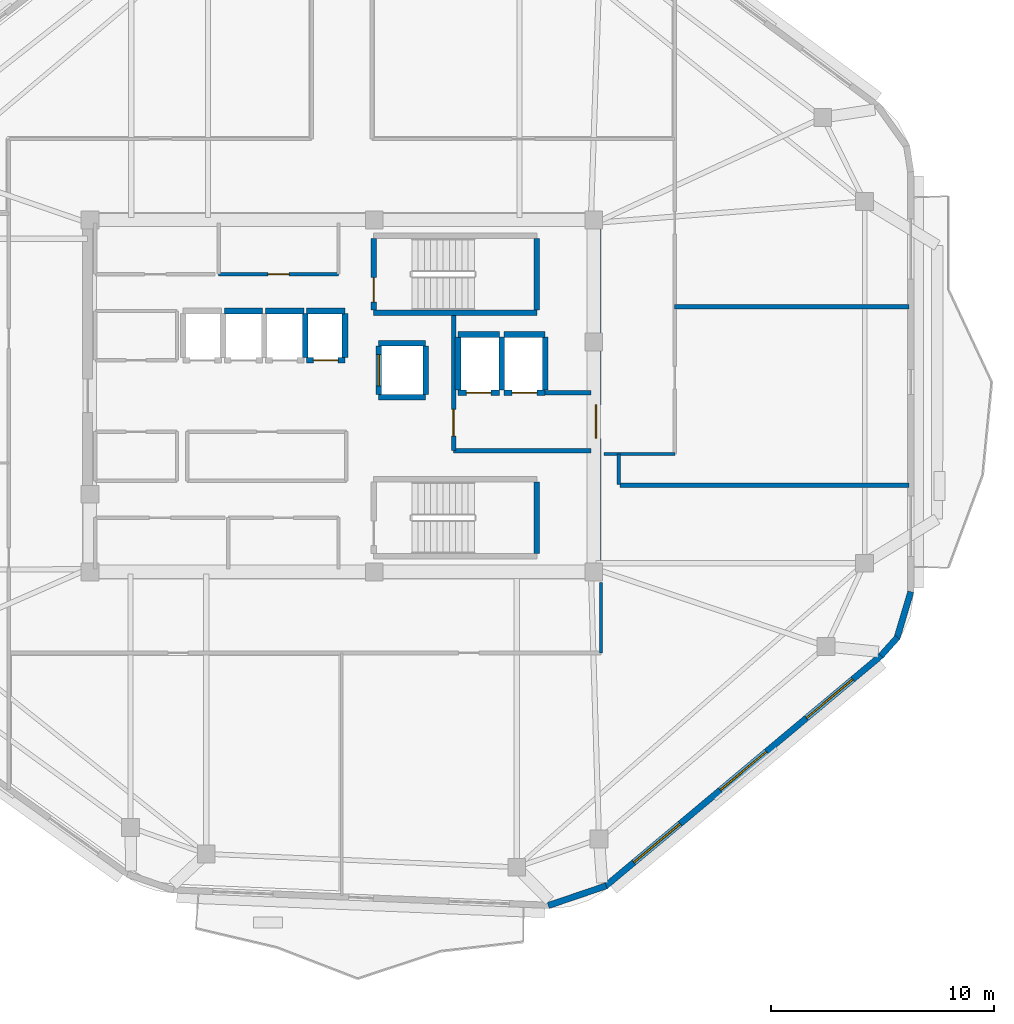
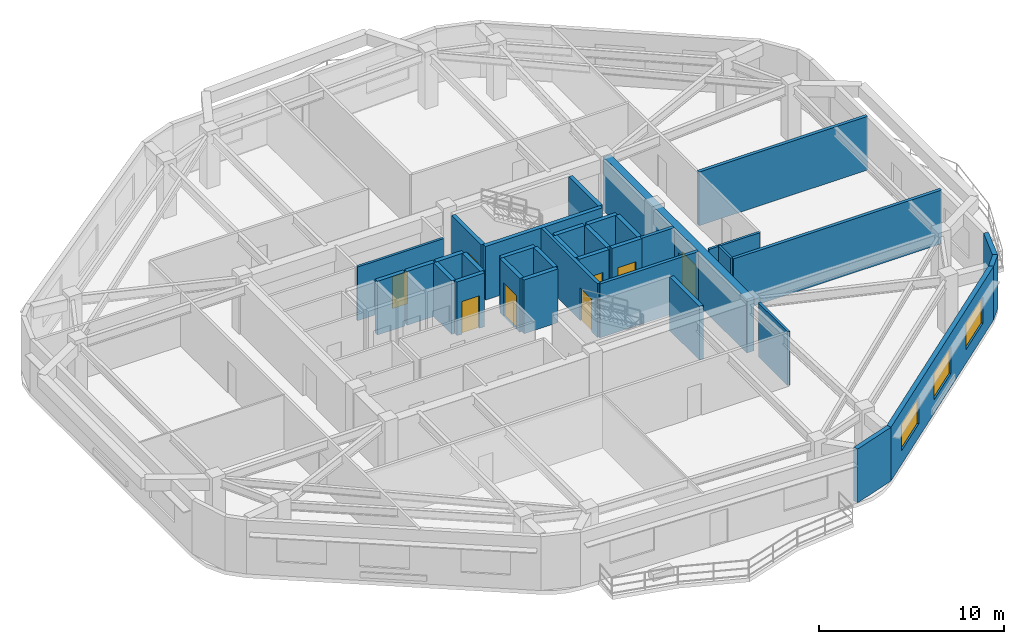
# One storey, part 4 of 8: 35 walls, 8 doors, 3 windows, 11 openings.
"""IFC4 building model written with IfcOpenShell, lengths in metres."""

from ifc_helpers import new_model, si_unit, direction, frame, frame_2d, origin, place, context, subcontext, project, spatial, rectangle, extrude, material, layer, layer_set, type_object, element, fill, save


model = new_model("IFC4")

# Units and contexts
model_context = context("Model", 3, precision=1e-05, world=origin(), true_north=direction((0.0, 1.0)))
body_context = subcontext(model_context, "Body", "Model", "MODEL_VIEW")
ifc_project = project(units=[si_unit("LENGTHUNIT", "METRE"), si_unit("AREAUNIT", "SQUARE_METRE"), si_unit("VOLUMEUNIT", "CUBIC_METRE"), si_unit("PLANEANGLEUNIT", "RADIAN"), si_unit("MASSUNIT", "GRAM", prefix="KILO")], contexts=[model_context])

# Site, building, storey
site_placement = place(None, origin())
site = spatial("IfcSite", under=ifc_project, at=site_placement, CompositionType="ELEMENT")
building_placement = place(site_placement, origin())
building = spatial("IfcBuilding", under=site, at=building_placement, Name="Zulverin Broadcast Headquarters", CompositionType="ELEMENT")
storey_placement = place(building_placement, frame((0.0, 0.0, 297.199951171875)))
storey = spatial("IfcBuildingStorey", under=building, at=storey_placement, Name="L76", CompositionType="ELEMENT", Elevation=297.199951171875)

# Walls
ifc_material_1 = material(Name="Acoustic drywall steel stud", Category="steel")
ifc_layer_1 = layer(ifc_material_1, 0.199951171875, Name="Acoustic drywall steel stud", Category="steel")
ifc_layer_set_1 = layer_set([ifc_layer_1], Name="Acoustic drywall steel stud")
wall_type_1 = type_object("IfcWallType", Name="WL-ACOU-200", PredefinedType="PARTITIONING", material=ifc_layer_set_1)
wall_1_placement = place(storey_placement, frame((49.43994140625, 21.199951171875, 0.0), z_axis=(0.0, 0.0, 1.0), x_axis=(1.0, 0.0, 0.0)))
element("IfcWall", 1, at=wall_1_placement, inside=storey, type_object=wall_type_1, Name="L76 Room Partition Wall RP-09", PredefinedType="PARTITIONING", context=body_context, shape_type="SweptSolid", body=[
    extrude(rectangle(XDim=12.955078125, YDim=0.199951171875, at=frame_2d((6.4775390625, 0.0))), origin(), (0.0, 0.0, 1.0), 3.5400390625),
])
wall_2_placement = place(storey_placement, frame((51.89990234375, 29.199951171875, 0.0), z_axis=(0.0, 0.0, 1.0), x_axis=(1.0, 0.0, 0.0)))
element("IfcWall", 2, at=wall_2_placement, inside=storey, type_object=wall_type_1, Name="L76 Room Partition Wall RP-12", PredefinedType="PARTITIONING", context=body_context, shape_type="SweptSolid", body=[
    extrude(rectangle(XDim=10.4951171875, YDim=0.199951171875, at=frame_2d((5.24755859375, 0.0))), origin(), (0.0, 0.0, 1.0), 3.5400390625),
])

# Wall, opening, door
ifc_material_2 = material(Name="Concrete C50/60", Category="concrete")
ifc_layer_2 = layer(ifc_material_2, 0.449951171875, Name="Concrete C50/60", Category="concrete")
ifc_layer_set_2 = layer_set([ifc_layer_2], Name="Concrete C50/60")
wall_type_2 = type_object("IfcWallType", Name="WL-CORE-450", PredefinedType="SHEAR", material=ifc_layer_set_2)
wall_3_placement = place(storey_placement, frame((48.375, 17.449951171875, 0.0), z_axis=(0.0, 0.0, 1.0), x_axis=(0.0, 1.0, 0.0)))
wall_3 = element("IfcWall", 3, at=wall_3_placement, inside=storey, type_object=wall_type_2, Name="L76 Core East Shear Wall", PredefinedType="SHEAR", context=body_context, shape_type="SweptSolid", body=[
    extrude(rectangle(XDim=15.5, YDim=0.449951171875, at=frame_2d((7.75, 0.0))), origin(), (0.0, 0.0, 1.0), 3.5400390625),
])
opening_1_placement = place(wall_3_placement, frame((5.85009765625, 0.0, 0.0)))
opening_1 = element("IfcOpeningElement", 4, at=opening_1_placement, cuts=wall_3, Name="Opening D-L76-CE1", PredefinedType="OPENING", context=body_context, shape_type="SweptSolid", body=[
    extrude(rectangle(XDim=1.5, YDim=2.14990234375, at=frame_2d((0.75, 1.074951171875))), frame((0.0, 0.23486328125, 0.0), z_axis=(0.0, -1.0, 0.0), x_axis=(1.0, 0.0, 0.0)), (0.0, 0.0, 1.0), 0.469970703125),
])
ifc_material_3 = material(Name="Fire-rated glazed steel frame", Category="steel")
door_type_1 = type_object("IfcDoorType", Name="DR-COR-1500", OperationType="DOUBLE_DOOR_SINGLE_SWING", PredefinedType="DOOR", material=ifc_material_3)
door_1_placement = place(opening_1_placement, origin())
door_1 = element("IfcDoor", 5, at=door_1_placement, inside=storey, type_object=door_type_1, Name="L76 Firefighting Lobby East Corridor Door", OperationType="DOUBLE_DOOR_SINGLE_SWING", OverallHeight=2.14990234375, OverallWidth=1.5, PredefinedType="DOOR", context=body_context, shape_type="SweptSolid", body=[
    extrude(rectangle(XDim=1.5, YDim=2.14990234375, at=frame_2d((0.75, 1.074951171875))), frame((0.0, 0.02490234375, 0.0), z_axis=(0.0, -1.0, 0.0), x_axis=(1.0, 0.0, 0.0)), (0.0, 0.0, 1.0), 0.050048828125),
])
fill(opening_1, door_1)

# Wall, openings, windows
ifc_material_4 = material(Name="Insulated pale-metal clad concrete spandrel C40/50", Category="concrete")
ifc_layer_3 = layer(ifc_material_4, 0.280029296875, Name="Insulated pale-metal clad concrete spandrel C40/50", Category="concrete")
ifc_layer_set_3 = layer_set([ifc_layer_3], Name="Insulated pale-metal clad concrete spandrel C40/50")
wall_type_3 = type_object("IfcWallType", Name="WL-EXT-280", PredefinedType="STANDARD", material=ifc_layer_set_3)
wall_4_placement = place(storey_placement, frame((48.788818359375, 3.249755859375, 0.0), z_axis=(0.0, 0.0, 1.0), x_axis=(0.767032672101, 0.641608042288, 0.0)))
wall_4 = element("IfcWall", 6, at=wall_4_placement, inside=storey, type_object=wall_type_3, Name="L76 Pale-Metal Clad Spandrel Wall 2", PredefinedType="STANDARD", context=body_context, shape_type="SweptSolid", body=[
    extrude(rectangle(XDim=16.11328125, YDim=0.280029296875, at=frame_2d((8.056640625, 0.0))), origin(), (0.0, 0.0, 1.0), 3.5400390625),
])
opening_2_placement = place(wall_4_placement, frame((1.6689453125, 0.0, 0.89990234375)))
opening_2 = element("IfcOpeningElement", 7, at=opening_2_placement, cuts=wall_4, Name="Opening W-L76-E21", PredefinedType="OPENING", context=body_context, shape_type="SweptSolid", body=[
    extrude(rectangle(XDim=2.699951171875, YDim=1.75, at=frame_2d((1.35009765625, 0.875))), frame((0.0, 0.14990234375, 0.0), z_axis=(0.0, -1.0, 0.0), x_axis=(1.0, 0.0, 0.0)), (0.0, 0.0, 1.0), 0.300048828125),
])
opening_3_placement = place(wall_4_placement, frame((6.706787109375, 0.0, 0.89990234375)))
opening_3 = element("IfcOpeningElement", 8, at=opening_3_placement, cuts=wall_4, Name="Opening W-L76-E22", PredefinedType="OPENING", context=body_context, shape_type="SweptSolid", body=[
    extrude(rectangle(XDim=2.699951171875, YDim=1.75, at=frame_2d((1.35009765625, 0.875))), frame((0.0, 0.14990234375, 0.0), z_axis=(0.0, -1.0, 0.0), x_axis=(1.0, 0.0, 0.0)), (0.0, 0.0, 1.0), 0.300048828125),
])
opening_4_placement = place(wall_4_placement, frame((11.744384765625, 0.0, 0.89990234375)))
opening_4 = element("IfcOpeningElement", 9, at=opening_4_placement, cuts=wall_4, Name="Opening W-L76-E23", PredefinedType="OPENING", context=body_context, shape_type="SweptSolid", body=[
    extrude(rectangle(XDim=2.699951171875, YDim=1.75, at=frame_2d((1.35009765625, 0.875))), frame((0.0, 0.14990234375, 0.0), z_axis=(0.0, -1.0, 0.0), x_axis=(1.0, 0.0, 0.0)), (0.0, 0.0, 1.0), 0.300048828125),
])
ifc_material_5 = material(Name="Pale anodized aluminium frame with solar-control low-E double glazing", Category="aluminium")
window_type = type_object("IfcWindowType", Name="WIN-TWR-2700", PartitioningType="SINGLE_PANEL", PredefinedType="WINDOW", material=ifc_material_5)
window_1_placement = place(opening_2_placement, origin())
window_1 = element("IfcWindow", 10, at=window_1_placement, inside=storey, type_object=window_type, Name="L76 Ribbon Glazing Window 2 1", OverallHeight=1.75, OverallWidth=2.699951171875, PartitioningType="SINGLE_PANEL", PredefinedType="WINDOW", context=body_context, shape_type="SweptSolid", body=[
    extrude(rectangle(XDim=2.699951171875, YDim=1.75, at=frame_2d((1.35009765625, 0.875))), frame((0.0, 0.030029296875, 0.0), z_axis=(0.0, -1.0, 0.0), x_axis=(1.0, 0.0, 0.0)), (0.0, 0.0, 1.0), 0.06005859375),
])
fill(opening_2, window_1)
window_2_placement = place(opening_3_placement, origin())
window_2 = element("IfcWindow", 11, at=window_2_placement, inside=storey, type_object=window_type, Name="L76 Ribbon Glazing Window 2 2", OverallHeight=1.75, OverallWidth=2.699951171875, PartitioningType="SINGLE_PANEL", PredefinedType="WINDOW", context=body_context, shape_type="SweptSolid", body=[
    extrude(rectangle(XDim=2.699951171875, YDim=1.75, at=frame_2d((1.35009765625, 0.875))), frame((0.0, 0.030029296875, 0.0), z_axis=(0.0, -1.0, 0.0), x_axis=(1.0, 0.0, 0.0)), (0.0, 0.0, 1.0), 0.06005859375),
])
fill(opening_3, window_2)
window_3_placement = place(opening_4_placement, origin())
window_3 = element("IfcWindow", 12, at=window_3_placement, inside=storey, type_object=window_type, Name="L76 Ribbon Glazing Window 2 3", OverallHeight=1.75, OverallWidth=2.699951171875, PartitioningType="SINGLE_PANEL", PredefinedType="WINDOW", context=body_context, shape_type="SweptSolid", body=[
    extrude(rectangle(XDim=2.699951171875, YDim=1.75, at=frame_2d((1.35009765625, 0.875))), frame((0.0, 0.030029296875, 0.0), z_axis=(0.0, -1.0, 0.0), x_axis=(1.0, 0.0, 0.0)), (0.0, 0.0, 1.0), 0.06005859375),
])
fill(opening_4, window_3)

# Walls
wall_5_placement = place(storey_placement, frame((46.239501953125, 2.392822265625, 0.0), z_axis=(0.0, 0.0, 1.0), x_axis=(0.946759165502, 0.321942669643, 0.0)))
element("IfcWall", 13, at=wall_5_placement, inside=storey, type_object=wall_type_3, Name="L76 Wind-Shaped Corner Spandrel Wall 1-1", PredefinedType="STANDARD", context=body_context, shape_type="SweptSolid", body=[
    extrude(rectangle(XDim=2.73974609375, YDim=0.280029296875, at=frame_2d((1.369873046875, 0.0))), origin(), (0.0, 0.0, 1.0), 3.5400390625),
])
wall_6_placement = place(storey_placement, frame((61.133544921875, 13.573974609375, 0.0), z_axis=(0.0, 0.0, 1.0), x_axis=(0.665804679247, 0.74612608123, 0.0)))
element("IfcWall", 14, at=wall_6_placement, inside=storey, type_object=wall_type_3, Name="L76 Wind-Shaped Corner Spandrel Wall 2-1", PredefinedType="STANDARD", context=body_context, shape_type="SweptSolid", body=[
    extrude(rectangle(XDim=1.103271484375, YDim=0.280029296875, at=frame_2d((0.5517578125, 0.0))), origin(), (0.0, 0.0, 1.0), 3.5400390625),
])
wall_7_placement = place(storey_placement, frame((61.838623046875, 14.34423828125, 0.0), z_axis=(0.0, 0.0, 1.0), x_axis=(0.287235049694, 0.957860128739, 0.0)))
element("IfcWall", 15, at=wall_7_placement, inside=storey, type_object=wall_type_3, Name="L76 Wind-Shaped Corner Spandrel Wall 2-2", PredefinedType="STANDARD", context=body_context, shape_type="SweptSolid", body=[
    extrude(rectangle(XDim=2.18359375, YDim=0.280029296875, at=frame_2d((1.091796875, 0.0))), origin(), (0.0, 0.0, 1.0), 3.5400390625),
])

# Wall, opening, door
ifc_material_6 = material(Name="Concrete C40/50", Category="concrete")
ifc_layer_4 = layer(ifc_material_6, 0.199951171875, Name="Concrete C40/50", Category="concrete")
ifc_layer_set_4 = layer_set([ifc_layer_4], Name="Concrete C40/50")
wall_type_4 = type_object("IfcWallType", Name="WL-FFL-200", PredefinedType="SOLIDWALL", material=ifc_layer_set_4)
wall_8_placement = place(storey_placement, frame((42.0, 22.75, 0.0), z_axis=(0.0, 0.0, 1.0), x_axis=(0.0, 1.0, 0.0)))
wall_8 = element("IfcWall", 16, at=wall_8_placement, inside=storey, type_object=wall_type_4, Name="L76 Firefighting Lift Lobby West Wall", PredefinedType="SOLIDWALL", context=body_context, shape_type="SweptSolid", body=[
    extrude(rectangle(XDim=6.050048828125, YDim=0.199951171875, at=frame_2d((3.02490234375, 0.0))), origin(), (0.0, 0.0, 1.0), 3.5400390625),
])
opening_5_placement = place(wall_8_placement, frame((0.64990234375, 0.0, 0.0)))
opening_5 = element("IfcOpeningElement", 17, at=opening_5_placement, cuts=wall_8, Name="Opening D-L76-FFLW", PredefinedType="OPENING", context=body_context, shape_type="SweptSolid", body=[
    extrude(rectangle(XDim=1.199951171875, YDim=2.14990234375, at=frame_2d((0.60009765625, 1.074951171875))), frame((0.0, 0.10986328125, 0.0), z_axis=(0.0, -1.0, 0.0), x_axis=(1.0, 0.0, 0.0)), (0.0, 0.0, 1.0), 0.219970703125),
])
ifc_material_7 = material(Name="Fire-rated steel leaf and frame", Category="steel")
door_type_2 = type_object("IfcDoorType", Name="DR-FFL-1200", OperationType="SINGLE_SWING_RIGHT", PredefinedType="DOOR", material=ifc_material_7)
door_2_placement = place(opening_5_placement, origin())
door_2 = element("IfcDoor", 18, at=door_2_placement, inside=storey, type_object=door_type_2, Name="L76 Firefighting Lift Lobby Door", OperationType="SINGLE_SWING_RIGHT", OverallHeight=2.14990234375, OverallWidth=1.199951171875, PredefinedType="DOOR", context=body_context, shape_type="SweptSolid", body=[
    extrude(rectangle(XDim=1.199951171875, YDim=2.14990234375, at=frame_2d((0.60009765625, 1.074951171875))), frame((0.0, 0.02490234375, 0.0), z_axis=(0.0, -1.0, 0.0), x_axis=(1.0, 0.0, 0.0)), (0.0, 0.0, 1.0), 0.050048828125),
])
fill(opening_5, door_2)

# Walls
wall_9_placement = place(storey_placement, frame((42.0, 22.75, 0.0), z_axis=(0.0, 0.0, 1.0), x_axis=(1.0, 0.0, 0.0)))
element("IfcWall", 19, at=wall_9_placement, inside=storey, type_object=wall_type_4, Name="L76 Firefighting Lift Lobby South Wall", PredefinedType="SOLIDWALL", context=body_context, shape_type="SweptSolid", body=[
    extrude(rectangle(XDim=6.14990234375, YDim=0.199951171875, at=frame_2d((3.074951171875, 0.0))), origin(), (0.0, 0.0, 1.0), 3.5400390625),
])
wall_10_placement = place(storey_placement, frame((46.10009765625, 25.35009765625, 0.0), z_axis=(0.0, 0.0, 1.0), x_axis=(1.0, 0.0, 0.0)))
element("IfcWall", 20, at=wall_10_placement, inside=storey, type_object=wall_type_4, Name="L76 Firefighting Lift Lobby North Wall", PredefinedType="SOLIDWALL", context=body_context, shape_type="SweptSolid", body=[
    extrude(rectangle(XDim=2.0498046875, YDim=0.199951171875, at=frame_2d((1.02490234375, 0.0))), origin(), (0.0, 0.0, 1.0), 3.5400390625),
])

# Wall, opening, door
ifc_material_8 = material(Name="Fire-rated gypsum stud partition", Category="gypsum")
ifc_layer_5 = layer(ifc_material_8, 0.14990234375, Name="Fire-rated gypsum stud partition", Category="gypsum")
ifc_layer_set_5 = layer_set([ifc_layer_5], Name="Fire-rated gypsum stud partition")
wall_type_5 = type_object("IfcWallType", Name="WL-PART-150", PredefinedType="PARTITIONING", material=ifc_layer_set_5)
wall_11_placement = place(storey_placement, frame((31.489990234375, 30.64990234375, 0.0), z_axis=(0.0, 0.0, 1.0), x_axis=(1.0, 0.0, 0.0)))
wall_11 = element("IfcWall", 21, at=wall_11_placement, inside=storey, type_object=wall_type_5, Name="L76 Core Accessible WC Front Wall", PredefinedType="PARTITIONING", context=body_context, shape_type="SweptSolid", body=[
    extrude(rectangle(XDim=5.360107421875, YDim=0.14990234375, at=frame_2d((2.68017578125, 0.0))), origin(), (0.0, 0.0, 1.0), 3.5400390625),
])
opening_6_placement = place(wall_11_placement, frame((2.205078125, 0.0, 0.0)))
opening_6 = element("IfcOpeningElement", 22, at=opening_6_placement, cuts=wall_11, Name="Opening D-L76-NC2", PredefinedType="OPENING", context=body_context, shape_type="SweptSolid", body=[
    extrude(rectangle(XDim=0.949951171875, YDim=2.10009765625, at=frame_2d((0.47509765625, 1.050048828125))), frame((0.0, 0.0849609375, 0.0), z_axis=(0.0, -1.0, 0.0), x_axis=(1.0, 0.0, 0.0)), (0.0, 0.0, 1.0), 0.169921875),
])
ifc_material_9 = material(Name="Fire-rated moisture-resistant laminate leaf", Category="wood")
door_type_3 = type_object("IfcDoorType", Name="DR-WC-950", OperationType="SINGLE_SWING_LEFT", PredefinedType="DOOR", material=ifc_material_9)
door_3_placement = place(opening_6_placement, origin())
door_3 = element("IfcDoor", 23, at=door_3_placement, inside=storey, type_object=door_type_3, Name="L76 Accessible WC Door", OperationType="SINGLE_SWING_RIGHT", OverallHeight=2.10009765625, OverallWidth=0.949951171875, PredefinedType="DOOR", context=body_context, shape_type="SweptSolid", body=[
    extrude(rectangle(XDim=0.949951171875, YDim=2.10009765625, at=frame_2d((0.47509765625, 1.050048828125))), frame((0.0, 0.02490234375, 0.0), z_axis=(0.0, -1.0, 0.0), x_axis=(1.0, 0.0, 0.0)), (0.0, 0.0, 1.0), 0.050048828125),
])
fill(opening_6, door_3)

# Walls
wall_12_placement = place(storey_placement, frame((49.39990234375, 21.239990234375, 0.0), z_axis=(0.0, 0.0, 1.0), x_axis=(0.0, 1.0, 0.0)))
element("IfcWall", 24, at=wall_12_placement, inside=storey, type_object=wall_type_5, Name="L76 Room Partition Wall RP-02", PredefinedType="PARTITIONING", context=body_context, shape_type="SweptSolid", body=[
    extrude(rectangle(XDim=1.359130859375, YDim=0.14990234375, at=frame_2d((0.6796875, 0.0))), origin(), (0.0, 0.0, 1.0), 3.5400390625),
])
wall_13_placement = place(storey_placement, frame((48.60009765625, 13.699951171875, 0.0), z_axis=(0.0, 0.0, 1.0), x_axis=(0.0, 1.0, 0.0)))
element("IfcWall", 25, at=wall_13_placement, inside=storey, type_object=wall_type_5, Name="L76 Gallery Partition Wall CG-03", PredefinedType="PARTITIONING", context=body_context, shape_type="SweptSolid", body=[
    extrude(rectangle(XDim=3.16015625, YDim=0.14990234375, at=frame_2d((1.580078125, 0.0))), origin(), (0.0, 0.0, 1.0), 3.5400390625),
])
wall_14_placement = place(storey_placement, frame((48.739990234375, 22.60009765625, 0.0), z_axis=(0.0, 0.0, 1.0), x_axis=(1.0, 0.0, 0.0)))
element("IfcWall", 26, at=wall_14_placement, inside=storey, type_object=wall_type_5, Name="L76 Gallery Partition Wall CG-11", PredefinedType="PARTITIONING", context=body_context, shape_type="SweptSolid", body=[
    extrude(rectangle(XDim=3.159912109375, YDim=0.14990234375, at=frame_2d((1.580078125, 0.0))), origin(), (0.0, 0.0, 1.0), 3.5400390625),
])
ifc_layer_6 = layer(ifc_material_2, 0.25, Name="Concrete C50/60", Category="concrete")
ifc_layer_set_6 = layer_set([ifc_layer_6], Name="Concrete C50/60")
wall_type_6 = type_object("IfcWallType", Name="WL-SHAFT-250", PredefinedType="SHEAR", material=ifc_layer_set_6)
wall_15_placement = place(storey_placement, frame((38.425048828125, 28.925048828125, 0.0), z_axis=(0.0, 0.0, 1.0), x_axis=(1.0, 0.0, 0.0)))
element("IfcWall", 27, at=wall_15_placement, inside=storey, type_object=wall_type_6, Name="L76 ST-1 Enclosure Wall S", PredefinedType="SHEAR", context=body_context, shape_type="SweptSolid", body=[
    extrude(rectangle(XDim=7.300048828125, YDim=0.25, at=frame_2d((3.64990234375, 0.0))), origin(), (0.0, 0.0, 1.0), 3.5400390625),
])

# Wall, opening, door
wall_16_placement = place(storey_placement, frame((38.425048828125, 29.050048828125, 0.0), z_axis=(0.0, 0.0, 1.0), x_axis=(0.0, 1.0, 0.0)))
wall_16 = element("IfcWall", 28, at=wall_16_placement, inside=storey, type_object=wall_type_6, Name="L76 ST-1 Enclosure Wall W", PredefinedType="SHEAR", context=body_context, shape_type="SweptSolid", body=[
    extrude(rectangle(XDim=3.199951171875, YDim=0.25, at=frame_2d((1.60009765625, 0.0))), origin(), (0.0, 0.0, 1.0), 3.5400390625),
])
opening_7_placement = place(wall_16_placement, frame((0.35009765625, 0.0, 0.0)))
opening_7 = element("IfcOpeningElement", 29, at=opening_7_placement, cuts=wall_16, Name="Opening D-L76-ST-1", PredefinedType="OPENING", context=body_context, shape_type="SweptSolid", body=[
    extrude(rectangle(XDim=1.10009765625, YDim=2.14990234375, at=frame_2d((0.550048828125, 1.074951171875))), frame((0.0, 0.135009765625, 0.0), z_axis=(0.0, -1.0, 0.0), x_axis=(1.0, 0.0, 0.0)), (0.0, 0.0, 1.0), 0.27001953125),
])
door_type_4 = type_object("IfcDoorType", Name="DR-STAIR-1100", OperationType="SINGLE_SWING_LEFT", PredefinedType="DOOR", material=ifc_material_7)
door_4_placement = place(opening_7_placement, origin())
door_4 = element("IfcDoor", 30, at=door_4_placement, inside=storey, type_object=door_type_4, Name="L76 Exit Stair ST-1 Fire Door", OperationType="SINGLE_SWING_LEFT", OverallHeight=2.14990234375, OverallWidth=1.10009765625, PredefinedType="DOOR", context=body_context, shape_type="SweptSolid", body=[
    extrude(rectangle(XDim=1.10009765625, YDim=2.14990234375, at=frame_2d((0.550048828125, 1.074951171875))), frame((0.0, 0.02490234375, 0.0), z_axis=(0.0, -1.0, 0.0), x_axis=(1.0, 0.0, 0.0)), (0.0, 0.0, 1.0), 0.050048828125),
])
fill(opening_7, door_4)

# Walls
wall_17_placement = place(storey_placement, frame((45.72509765625, 29.050048828125, 0.0), z_axis=(0.0, 0.0, 1.0), x_axis=(0.0, 1.0, 0.0)))
element("IfcWall", 31, at=wall_17_placement, inside=storey, type_object=wall_type_6, Name="L76 ST-1 Enclosure Wall E", PredefinedType="SHEAR", context=body_context, shape_type="SweptSolid", body=[
    extrude(rectangle(XDim=3.199951171875, YDim=0.25, at=frame_2d((1.60009765625, 0.0))), origin(), (0.0, 0.0, 1.0), 3.5400390625),
])
wall_18_placement = place(storey_placement, frame((45.72509765625, 18.14990234375, 0.0), z_axis=(0.0, 0.0, 1.0), x_axis=(0.0, 1.0, 0.0)))
element("IfcWall", 32, at=wall_18_placement, inside=storey, type_object=wall_type_6, Name="L76 ST-2 Enclosure Wall E", PredefinedType="SHEAR", context=body_context, shape_type="SweptSolid", body=[
    extrude(rectangle(XDim=3.2001953125, YDim=0.25, at=frame_2d((1.60009765625, 0.0))), origin(), (0.0, 0.0, 1.0), 3.5400390625),
])
for number, where, z_axis, x_axis, name in (
    (33, (31.739990234375, 29.0, 0.0), (0.0, 0.0, 1.0), (1.0, 0.0, 0.0), "L76 Lift PL-H2 Shaft Wall N"),
    (34, (33.580078125, 29.0, 0.0), (0.0, 0.0, 1.0), (1.0, 0.0, 0.0), "L76 Lift PL-H3 Shaft Wall N"),
):
    element("IfcWall", number, at=place(storey_placement, frame(where, z_axis=z_axis, x_axis=x_axis)), inside=storey, type_object=wall_type_6, Name=name, PredefinedType="SHEAR", context=body_context, shape_type="SweptSolid", body=[
        extrude(rectangle(XDim=1.719970703125, YDim=0.25, at=frame_2d((0.85986328125, 0.0))), origin(), (0.0, 0.0, 1.0), 3.5400390625),
    ])
wall_19_placement = place(storey_placement, frame((35.360107421875, 26.919921875, 0.0), z_axis=(0.0, 0.0, 1.0), x_axis=(0.0, 1.0, 0.0)))
element("IfcWall", 35, at=wall_19_placement, inside=storey, type_object=wall_type_6, Name="L76 Lift PL-H3 Shaft Wall E", PredefinedType="SHEAR", context=body_context, shape_type="SweptSolid", body=[
    extrude(rectangle(XDim=1.9599609375, YDim=0.25, at=frame_2d((0.97998046875, 0.0))), origin(), (0.0, 0.0, 1.0), 3.5400390625),
])

# Wall, opening, door
wall_20_placement = place(storey_placement, frame((35.419921875, 26.800048828125, 0.0), z_axis=(0.0, 0.0, 1.0), x_axis=(1.0, 0.0, 0.0)))
wall_20 = element("IfcWall", 36, at=wall_20_placement, inside=storey, type_object=wall_type_6, Name="L76 Lift PL-H4 Shaft Wall S", PredefinedType="SHEAR", context=body_context, shape_type="SweptSolid", body=[
    extrude(rectangle(XDim=1.719970703125, YDim=0.25, at=frame_2d((0.85986328125, 0.0))), origin(), (0.0, 0.0, 1.0), 3.5400390625),
])
opening_8_placement = place(wall_20_placement, frame((0.31005859375, 0.0, 0.0)))
opening_8 = element("IfcOpeningElement", 37, at=opening_8_placement, cuts=wall_20, Name="Opening LD-PL-H4-L76", PredefinedType="OPENING", context=body_context, shape_type="SweptSolid", body=[
    extrude(rectangle(XDim=1.10009765625, YDim=2.14990234375, at=frame_2d((0.550048828125, 1.074951171875))), frame((0.0, 0.135009765625, 0.0), z_axis=(0.0, -1.0, 0.0), x_axis=(1.0, 0.0, 0.0)), (0.0, 0.0, 1.0), 0.27001953125),
])
ifc_material_10 = material(Name="Brushed stainless steel landing", Category="steel")
door_type_5 = type_object("IfcDoorType", Name="LD-PASS-1100", OperationType="DOUBLE_DOOR_SLIDING", PredefinedType="DOOR", material=ifc_material_10)
door_5_placement = place(opening_8_placement, origin())
door_5 = element("IfcDoor", 38, at=door_5_placement, inside=storey, type_object=door_type_5, Name="L76 Lift PL-H4 Sliding Landing Door", OperationType="DOUBLE_DOOR_SLIDING", OverallHeight=2.14990234375, OverallWidth=1.10009765625, PredefinedType="DOOR", context=body_context, shape_type="SweptSolid", body=[
    extrude(rectangle(XDim=1.10009765625, YDim=2.14990234375, at=frame_2d((0.550048828125, 1.074951171875))), frame((0.0, 0.02490234375, 0.0), z_axis=(0.0, -1.0, 0.0), x_axis=(1.0, 0.0, 0.0)), (0.0, 0.0, 1.0), 0.050048828125),
])
fill(opening_8, door_5)

# Walls
wall_21_placement = place(storey_placement, frame((35.419921875, 29.0, 0.0), z_axis=(0.0, 0.0, 1.0), x_axis=(1.0, 0.0, 0.0)))
element("IfcWall", 39, at=wall_21_placement, inside=storey, type_object=wall_type_6, Name="L76 Lift PL-H4 Shaft Wall N", PredefinedType="SHEAR", context=body_context, shape_type="SweptSolid", body=[
    extrude(rectangle(XDim=1.719970703125, YDim=0.25, at=frame_2d((0.85986328125, 0.0))), origin(), (0.0, 0.0, 1.0), 3.5400390625),
])
wall_22_placement = place(storey_placement, frame((37.139892578125, 26.919921875, 0.0), z_axis=(0.0, 0.0, 1.0), x_axis=(0.0, 1.0, 0.0)))
element("IfcWall", 40, at=wall_22_placement, inside=storey, type_object=wall_type_6, Name="L76 Lift PL-H4 Shaft Wall E", PredefinedType="SHEAR", context=body_context, shape_type="SweptSolid", body=[
    extrude(rectangle(XDim=1.9599609375, YDim=0.25, at=frame_2d((0.97998046875, 0.0))), origin(), (0.0, 0.0, 1.0), 3.5400390625),
])

# Wall, opening, door
wall_23_placement = place(storey_placement, frame((42.199951171875, 25.35009765625, 0.0), z_axis=(0.0, 0.0, 1.0), x_axis=(1.0, 0.0, 0.0)))
wall_23 = element("IfcWall", 41, at=wall_23_placement, inside=storey, type_object=wall_type_6, Name="L76 Lift FFL-1 Shaft Wall S", PredefinedType="SHEAR", context=body_context, shape_type="SweptSolid", body=[
    extrude(rectangle(XDim=1.85009765625, YDim=0.25, at=frame_2d((0.925048828125, 0.0))), origin(), (0.0, 0.0, 1.0), 3.5400390625),
])
opening_9_placement = place(wall_23_placement, frame((0.375, 0.0, 0.0)))
opening_9 = element("IfcOpeningElement", 42, at=opening_9_placement, cuts=wall_23, Name="Opening LD-FFL-1-L76", PredefinedType="OPENING", context=body_context, shape_type="SweptSolid", body=[
    extrude(rectangle(XDim=1.10009765625, YDim=2.14990234375, at=frame_2d((0.550048828125, 1.074951171875))), frame((0.0, 0.135009765625, 0.0), z_axis=(0.0, -1.0, 0.0), x_axis=(1.0, 0.0, 0.0)), (0.0, 0.0, 1.0), 0.27001953125),
])
ifc_material_11 = material(Name="Fire-rated stainless landing door", Category="steel")
door_type_6 = type_object("IfcDoorType", Name="LD-FFL-1100", OperationType="DOUBLE_DOOR_SLIDING", PredefinedType="DOOR", material=ifc_material_11)
door_6_placement = place(opening_9_placement, origin())
door_6 = element("IfcDoor", 43, at=door_6_placement, inside=storey, type_object=door_type_6, Name="L76 Lift FFL-1 Sliding Landing Door", OperationType="DOUBLE_DOOR_SLIDING", OverallHeight=2.14990234375, OverallWidth=1.10009765625, PredefinedType="DOOR", context=body_context, shape_type="SweptSolid", body=[
    extrude(rectangle(XDim=1.10009765625, YDim=2.14990234375, at=frame_2d((0.550048828125, 1.074951171875))), frame((0.0, 0.02490234375, 0.0), z_axis=(0.0, -1.0, 0.0), x_axis=(1.0, 0.0, 0.0)), (0.0, 0.0, 1.0), 0.050048828125),
])
fill(opening_9, door_6)

# Walls
wall_24_placement = place(storey_placement, frame((42.199951171875, 27.949951171875, 0.0), z_axis=(0.0, 0.0, 1.0), x_axis=(1.0, 0.0, 0.0)))
element("IfcWall", 44, at=wall_24_placement, inside=storey, type_object=wall_type_6, Name="L76 Lift FFL-1 Shaft Wall N", PredefinedType="SHEAR", context=body_context, shape_type="SweptSolid", body=[
    extrude(rectangle(XDim=1.85009765625, YDim=0.25, at=frame_2d((0.925048828125, 0.0))), origin(), (0.0, 0.0, 1.0), 3.5400390625),
])
for number, where, z_axis, x_axis, name in (
    (45, (42.199951171875, 25.469970703125, 0.0), (0.0, 0.0, 1.0), (0.0, 1.0, 0.0), "L76 Lift FFL-1 Shaft Wall W"),
    (46, (44.14990234375, 25.469970703125, 0.0), (0.0, 0.0, 1.0), (0.0, 1.0, 0.0), "L76 Lift FFL-1 Shaft Wall E"),
):
    element("IfcWall", number, at=place(storey_placement, frame(where, z_axis=z_axis, x_axis=x_axis)), inside=storey, type_object=wall_type_6, Name=name, PredefinedType="SHEAR", context=body_context, shape_type="SweptSolid", body=[
        extrude(rectangle(XDim=2.360107421875, YDim=0.25, at=frame_2d((1.18017578125, 0.0))), origin(), (0.0, 0.0, 1.0), 3.5400390625),
    ])

# Wall, opening, door
wall_25_placement = place(storey_placement, frame((44.25, 25.35009765625, 0.0), z_axis=(0.0, 0.0, 1.0), x_axis=(1.0, 0.0, 0.0)))
wall_25 = element("IfcWall", 47, at=wall_25_placement, inside=storey, type_object=wall_type_6, Name="L76 Lift FFL-2 Shaft Wall S", PredefinedType="SHEAR", context=body_context, shape_type="SweptSolid", body=[
    extrude(rectangle(XDim=1.85009765625, YDim=0.25, at=frame_2d((0.925048828125, 0.0))), origin(), (0.0, 0.0, 1.0), 3.5400390625),
])
opening_10_placement = place(wall_25_placement, frame((0.375, 0.0, 0.0)))
opening_10 = element("IfcOpeningElement", 48, at=opening_10_placement, cuts=wall_25, Name="Opening LD-FFL-2-L76", PredefinedType="OPENING", context=body_context, shape_type="SweptSolid", body=[
    extrude(rectangle(XDim=1.10009765625, YDim=2.14990234375, at=frame_2d((0.550048828125, 1.074951171875))), frame((0.0, 0.135009765625, 0.0), z_axis=(0.0, -1.0, 0.0), x_axis=(1.0, 0.0, 0.0)), (0.0, 0.0, 1.0), 0.27001953125),
])
door_7_placement = place(opening_10_placement, origin())
door_7 = element("IfcDoor", 49, at=door_7_placement, inside=storey, type_object=door_type_6, Name="L76 Lift FFL-2 Sliding Landing Door", OperationType="DOUBLE_DOOR_SLIDING", OverallHeight=2.14990234375, OverallWidth=1.10009765625, PredefinedType="DOOR", context=body_context, shape_type="SweptSolid", body=[
    extrude(rectangle(XDim=1.10009765625, YDim=2.14990234375, at=frame_2d((0.550048828125, 1.074951171875))), frame((0.0, 0.02490234375, 0.0), z_axis=(0.0, -1.0, 0.0), x_axis=(1.0, 0.0, 0.0)), (0.0, 0.0, 1.0), 0.050048828125),
])
fill(opening_10, door_7)

# Walls
wall_26_placement = place(storey_placement, frame((44.25, 27.949951171875, 0.0), z_axis=(0.0, 0.0, 1.0), x_axis=(1.0, 0.0, 0.0)))
element("IfcWall", 50, at=wall_26_placement, inside=storey, type_object=wall_type_6, Name="L76 Lift FFL-2 Shaft Wall N", PredefinedType="SHEAR", context=body_context, shape_type="SweptSolid", body=[
    extrude(rectangle(XDim=1.85009765625, YDim=0.25, at=frame_2d((0.925048828125, 0.0))), origin(), (0.0, 0.0, 1.0), 3.5400390625),
])
wall_27_placement = place(storey_placement, frame((46.10009765625, 25.469970703125, 0.0), z_axis=(0.0, 0.0, 1.0), x_axis=(0.0, 1.0, 0.0)))
element("IfcWall", 51, at=wall_27_placement, inside=storey, type_object=wall_type_6, Name="L76 Lift FFL-2 Shaft Wall E", PredefinedType="SHEAR", context=body_context, shape_type="SweptSolid", body=[
    extrude(rectangle(XDim=2.360107421875, YDim=0.25, at=frame_2d((1.18017578125, 0.0))), origin(), (0.0, 0.0, 1.0), 3.5400390625),
])
for number, where, z_axis, x_axis, name in (
    (52, (38.64990234375, 25.14990234375, 0.0), (0.0, 0.0, 1.0), (1.0, 0.0, 0.0), "L76 Lift SVL-1 Shaft Wall S"),
    (53, (38.64990234375, 27.550048828125, 0.0), (0.0, 0.0, 1.0), (1.0, 0.0, 0.0), "L76 Lift SVL-1 Shaft Wall N"),
):
    element("IfcWall", number, at=place(storey_placement, frame(where, z_axis=z_axis, x_axis=x_axis)), inside=storey, type_object=wall_type_6, Name=name, PredefinedType="SHEAR", context=body_context, shape_type="SweptSolid", body=[
        extrude(rectangle(XDim=2.10009765625, YDim=0.25, at=frame_2d((1.050048828125, 0.0))), origin(), (0.0, 0.0, 1.0), 3.5400390625),
    ])

# Wall, opening, door
wall_28_placement = place(storey_placement, frame((38.64990234375, 25.27001953125, 0.0), z_axis=(0.0, 0.0, 1.0), x_axis=(0.0, 1.0, 0.0)))
wall_28 = element("IfcWall", 54, at=wall_28_placement, inside=storey, type_object=wall_type_6, Name="L76 Lift SVL-1 Shaft Wall W", PredefinedType="SHEAR", context=body_context, shape_type="SweptSolid", body=[
    extrude(rectangle(XDim=2.159912109375, YDim=0.25, at=frame_2d((1.080078125, 0.0))), origin(), (0.0, 0.0, 1.0), 3.5400390625),
])
opening_11_placement = place(wall_28_placement, frame((0.3798828125, 0.0, 0.0)))
opening_11 = element("IfcOpeningElement", 55, at=opening_11_placement, cuts=wall_28, Name="Opening LD-SVL-1-L76", PredefinedType="OPENING", context=body_context, shape_type="SweptSolid", body=[
    extrude(rectangle(XDim=1.39990234375, YDim=2.199951171875, at=frame_2d((0.699951171875, 1.10009765625))), frame((0.0, 0.135009765625, 0.0), z_axis=(0.0, -1.0, 0.0), x_axis=(1.0, 0.0, 0.0)), (0.0, 0.0, 1.0), 0.27001953125),
])
ifc_material_12 = material(Name="Heavy-duty stainless landing door", Category="steel")
door_type_7 = type_object("IfcDoorType", Name="LD-GOODS-1400", OperationType="DOUBLE_DOOR_SLIDING", PredefinedType="DOOR", material=ifc_material_12)
door_8_placement = place(opening_11_placement, origin())
door_8 = element("IfcDoor", 56, at=door_8_placement, inside=storey, type_object=door_type_7, Name="L76 Lift SVL-1 Sliding Landing Door", OperationType="DOUBLE_DOOR_SLIDING", OverallHeight=2.199951171875, OverallWidth=1.39990234375, PredefinedType="DOOR", context=body_context, shape_type="SweptSolid", body=[
    extrude(rectangle(XDim=1.39990234375, YDim=2.199951171875, at=frame_2d((0.699951171875, 1.10009765625))), frame((0.0, 0.02490234375, 0.0), z_axis=(0.0, -1.0, 0.0), x_axis=(1.0, 0.0, 0.0)), (0.0, 0.0, 1.0), 0.050048828125),
])
fill(opening_11, door_8)

# Wall
wall_29_placement = place(storey_placement, frame((40.75, 25.27001953125, 0.0), z_axis=(0.0, 0.0, 1.0), x_axis=(0.0, 1.0, 0.0)))
element("IfcWall", 57, at=wall_29_placement, inside=storey, type_object=wall_type_6, Name="L76 Lift SVL-1 Shaft Wall E", PredefinedType="SHEAR", context=body_context, shape_type="SweptSolid", body=[
    extrude(rectangle(XDim=2.159912109375, YDim=0.25, at=frame_2d((1.080078125, 0.0))), origin(), (0.0, 0.0, 1.0), 3.5400390625),
])

save(model, "model.ifc")
